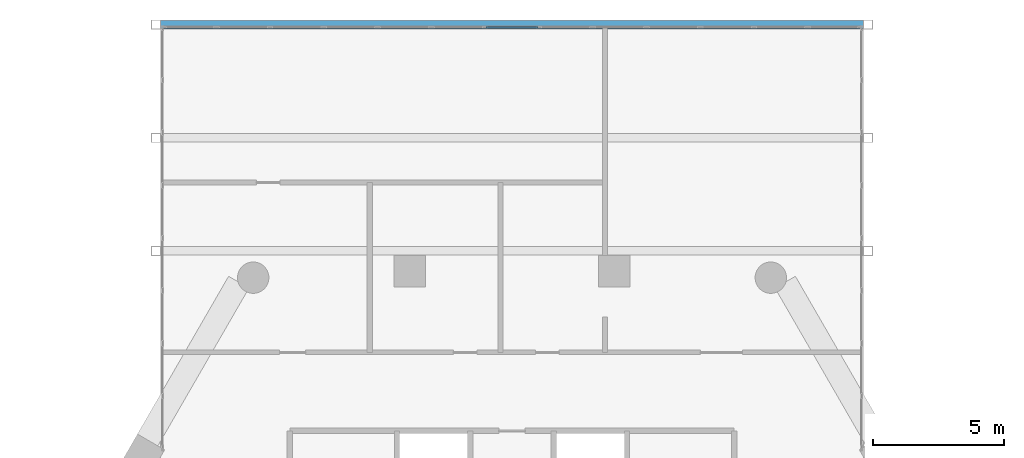
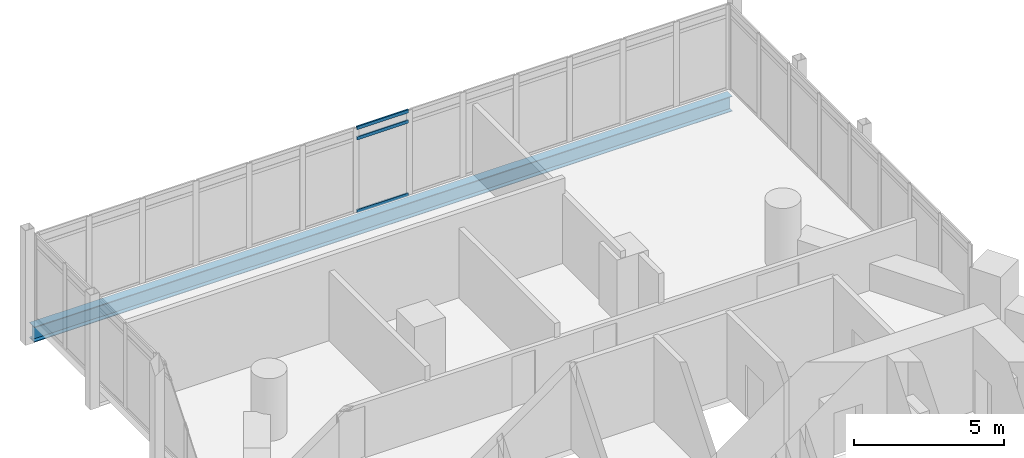
# One storey, part 16 of 28: 3 members, 1 beam, 1 element without a shape of its own.
"""IFC4 building model written with IfcOpenShell, lengths in metres."""

from ifc_helpers import new_model, si_unit, direction, frame, origin, origin_2d, place, context, subcontext, project, spatial, hollow_rectangle, i_section, extrude, material, material_profile, profile_set, type_object, element, aggregate, save


model = new_model("IFC4")

# Units and contexts
model_context = context("Model", 3, precision=1e-05, world=origin(), true_north=direction((0.0, 1.0)))
body_context = subcontext(model_context, "Body", "Model", "MODEL_VIEW")
ifc_project = project(units=[si_unit("LENGTHUNIT", "METRE"), si_unit("AREAUNIT", "SQUARE_METRE"), si_unit("VOLUMEUNIT", "CUBIC_METRE"), si_unit("PLANEANGLEUNIT", "RADIAN"), si_unit("MASSUNIT", "GRAM", prefix="KILO")], contexts=[model_context])

# Site, building, storey
site_placement = place(None, origin())
site = spatial("IfcSite", under=ifc_project, at=site_placement, CompositionType="ELEMENT")
building_placement = place(site_placement, origin())
building = spatial("IfcBuilding", under=site, at=building_placement, Name="Ostrander Bayou Hotel Tower", CompositionType="ELEMENT")
storey_placement = place(building_placement, frame((0.0, 0.0, 142.25)))
storey = spatial("IfcBuildingStorey", under=building, at=storey_placement, Name="L35", CompositionType="ELEMENT", Elevation=142.25)

# Curtain wall, members
ifc_material_1 = material(Name="Aluminium and clear glass", Category="aluminium")
curtain_wall_type = type_object("IfcCurtainWallType", Name="CW-BAR glazed wall", PredefinedType="NOTDEFINED", material=ifc_material_1)
curtain_wall_placement = place(storey_placement, origin())
curtain_wall = element("IfcCurtainWall", 1, at=curtain_wall_placement, inside=storey, type_object=curtain_wall_type, Name="CW-BAR L35:SB3N:T", PredefinedType="NOTDEFINED")
ifc_material_2 = material(Name="Aluminium", Category="aluminium")
ifc_material_profile_1 = material_profile(ifc_material_2, hollow_rectangle(XDim=0.06005859375, YDim=0.1298828125, WallThickness=0.00390625, at=origin_2d()))
ifc_profile_set_1 = profile_set([ifc_material_profile_1], Name="Aluminium")
member_type = type_object("IfcMemberType", Name="CW-BR transom 60 x 130 mm", PredefinedType="USERDEFINED", material=ifc_profile_set_1)
member_1_placement = place(storey_placement, frame((-0.998291015625, 29.037109375, 0.030029296875), z_axis=(1.0, 0.0, 0.0), x_axis=(0.0, 1.0, 0.0)))
member_1 = element("IfcMember", 2, at=member_1_placement, type_object=member_type, Name="CW-BAR transom 7.1", ObjectType="TRANSOM", PredefinedType="USERDEFINED", context=body_context, shape_type="SweptSolid", body=[
    extrude(hollow_rectangle(XDim=0.06005859375, YDim=0.1298828125, WallThickness=0.00390625, at=origin_2d()), origin(), (0.0, 0.0, 1.0), 1.99658203125),
])
member_2_placement = place(storey_placement, frame((-0.998291015625, 29.037109375, 3.0), z_axis=(1.0, 0.0, 0.0), x_axis=(0.0, 1.0, 0.0)))
member_2 = element("IfcMember", 3, at=member_2_placement, type_object=member_type, Name="CW-BAR transom 7.2", ObjectType="TRANSOM", PredefinedType="USERDEFINED", context=body_context, shape_type="SweptSolid", body=[
    extrude(hollow_rectangle(XDim=0.06005859375, YDim=0.1298828125, WallThickness=0.00390625, at=origin_2d()), origin(), (0.0, 0.0, 1.0), 1.99658203125),
])
member_3_placement = place(storey_placement, frame((-0.998291015625, 29.037109375, 3.419921875), z_axis=(1.0, 0.0, 0.0), x_axis=(0.0, 1.0, 0.0)))
member_3 = element("IfcMember", 4, at=member_3_placement, type_object=member_type, Name="CW-BAR transom 7.3", ObjectType="TRANSOM", PredefinedType="USERDEFINED", context=body_context, shape_type="SweptSolid", body=[
    extrude(hollow_rectangle(XDim=0.06005859375, YDim=0.1298828125, WallThickness=0.00390625, at=origin_2d()), origin(), (0.0, 0.0, 1.0), 1.99658203125),
])
aggregate(curtain_wall, [member_1, member_2, member_3])

# Beam
ifc_material_3 = material(Name="Steel ASTM A992", Category="steel")
ifc_material_profile_2 = material_profile(ifc_material_3, i_section(OverallWidth=0.32763671875, OverallDepth=0.621826171875, WebThickness=0.015380859375, FlangeThickness=0.0244140625, at=origin_2d()))
ifc_profile_set_2 = profile_set([ifc_material_profile_2], Name="Steel ASTM A992")
beam_type = type_object("IfcBeamType", Name="TF1 bar floor beam W24x131", PredefinedType="BEAM", material=ifc_profile_set_2)
beam_placement = place(storey_placement, frame((-13.442138671875, 29.13720703125, -0.61083984375), z_axis=(1.0, 0.0, 0.0), x_axis=(0.0, 1.0, 0.0)))
element("IfcBeam", 5, at=beam_placement, inside=storey, type_object=beam_type, Name="TF1 SB3W L4-1", PredefinedType="BEAM", context=body_context, shape_type="SweptSolid", body=[
    extrude(i_section(OverallWidth=0.32763671875, OverallDepth=0.621826171875, WebThickness=0.015380859375, FlangeThickness=0.0244140625, at=origin_2d()), origin(), (0.0, 0.0, 1.0), 26.88427734375),
])

save(model, "model.ifc")
